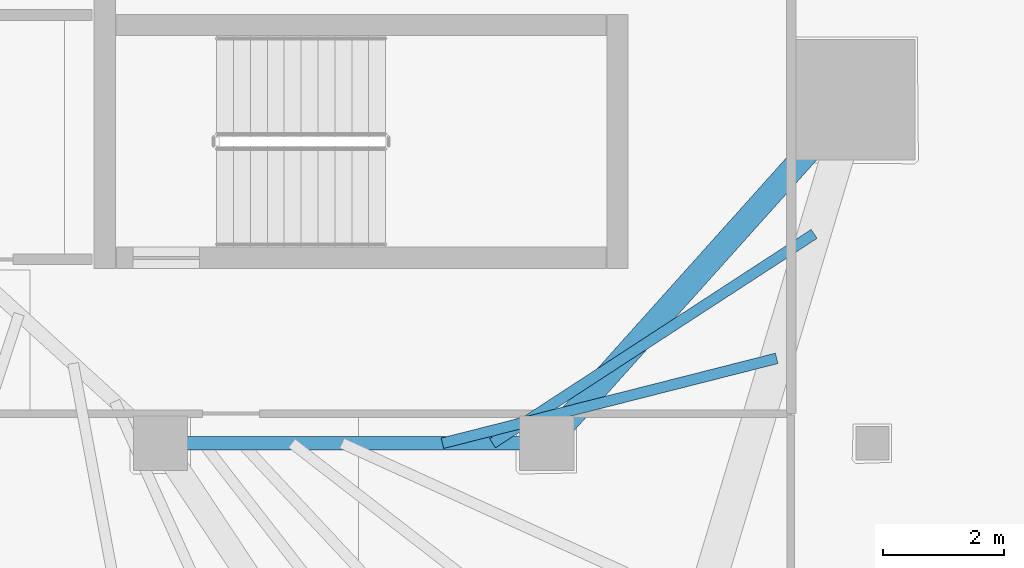
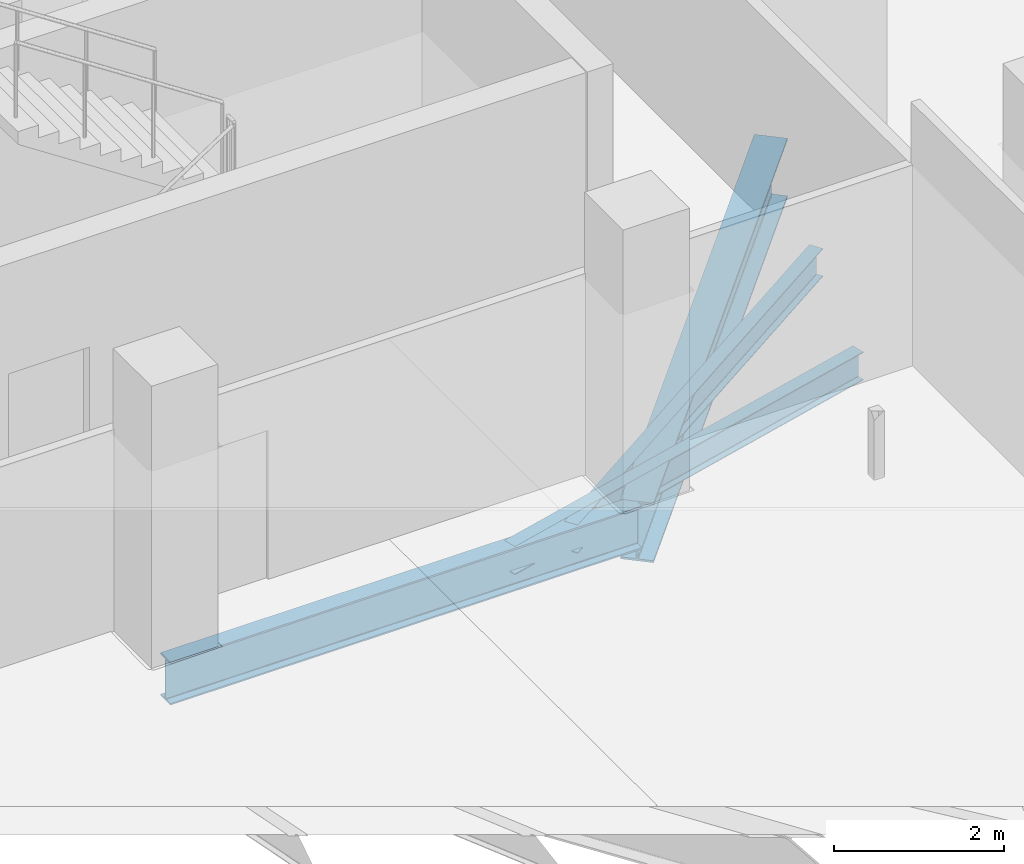
# One storey, part 13 of 39: 4 beams.
"""IFC4 building model written with IfcOpenShell, lengths in metres."""

import ifcopenshell
import ifcopenshell.guid

model = None  # the IFC model being written
_history = None  # IfcOwnerHistory: only IFC2X3 demands one
_inside = {}  # id of a spatial element -> (the spatial element, [elements in it])
_under = {}  # id of a project, library or spatial element -> (it, [spatial elements below it])
_declared = {}  # id of a project -> (the project, [libraries it declares])
_typed = {}  # id of a type object -> (the type object, [elements of that type])
_made_of = {}  # id of a material, layer set ... -> (it, [elements and type objects made of it])


def new_model(schema):
    """Start an empty IFC model of exactly this schema.

    Asked for "IFC4X3", IfcOpenShell would pick the latest addendum, in which some entities
    have other attributes; the version numbers below select the first issue.
    IFC2X3 requires an IfcOwnerHistory on every rooted entity: one is made here for all.
    """
    global model, _history
    if schema == "IFC4X3":
        model = ifcopenshell.file(schema_version=(4, 3, 0, 0))
    else:
        model = ifcopenshell.file(schema=schema)
    _inside.clear()
    _under.clear()
    _declared.clear()
    _typed.clear()
    _made_of.clear()
    _history = None
    if model.schema == "IFC2X3":
        org = make("IfcOrganization", Name="unknown")
        user = make(
            "IfcPersonAndOrganization",
            ThePerson=make("IfcPerson", FamilyName="unknown"),
            TheOrganization=org,
        )
        app = make(
            "IfcApplication",
            ApplicationDeveloper=org,
            Version="unknown",
            ApplicationFullName="unknown",
            ApplicationIdentifier="unknown",
        )
        _history = make(
            "IfcOwnerHistory",
            OwningUser=user,
            OwningApplication=app,
            ChangeAction="ADDED",
            CreationDate=0,
        )
    return model


def make(cls, **values):
    """One entity of the class cls with the attributes given. An attribute that is None is left unset."""
    return model.create_entity(
        cls, **{name: value for name, value in values.items() if value is not None}
    )


def rooted(cls, **values):
    """An entity with a GlobalId (a new one), such as an element, a storey or a relation."""
    return make(cls, GlobalId=ifcopenshell.guid.new(), OwnerHistory=_history, **values)


def si_unit(unit_type, name, prefix=None):
    """IfcSIUnit, for example si_unit("LENGTHUNIT", "METRE", prefix="MILLI")."""
    return make("IfcSIUnit", UnitType=unit_type, Prefix=prefix, Name=name)


def assignment(units):
    """IfcUnitAssignment: the units of a project."""
    return None if units is None else make("IfcUnitAssignment", Units=units)


def point(xyz):
    """IfcCartesianPoint."""
    return None if xyz is None else make("IfcCartesianPoint", Coordinates=xyz)


def direction(xyz):
    """IfcDirection."""
    return None if xyz is None else make("IfcDirection", DirectionRatios=xyz)


def frame(location, z_axis=None, x_axis=None):
    """IfcAxis2Placement3D, a coordinate frame: its origin and axes. An axis left out is left unset."""
    return make(
        "IfcAxis2Placement3D",
        Location=point(location),
        Axis=direction(z_axis),
        RefDirection=direction(x_axis),
    )


def frame_2d(location, x_axis=None):
    """IfcAxis2Placement2D, a coordinate frame in the plane: its origin and x axis."""
    return make(
        "IfcAxis2Placement2D", Location=point(location), RefDirection=direction(x_axis)
    )


def origin():
    """The frame at (0, 0, 0) with its axes left unset."""
    return frame((0.0, 0.0, 0.0))


def origin_2d():
    """The frame at (0, 0) in the plane with its x axis left unset."""
    return frame_2d((0.0, 0.0))


def place(relative_to, where):
    """IfcLocalPlacement: puts the frame where relative to a parent placement (None: the world)."""
    return make(
        "IfcLocalPlacement", PlacementRelTo=relative_to, RelativePlacement=where
    )


def context(
    kind, dimensions, precision=None, world=None, true_north=None, identifier=None
):
    """IfcGeometricRepresentationContext, for example the 3D "Model" context."""
    return make(
        "IfcGeometricRepresentationContext",
        ContextIdentifier=identifier,
        ContextType=kind,
        CoordinateSpaceDimension=dimensions,
        Precision=precision,
        WorldCoordinateSystem=world,
        TrueNorth=true_north,
    )


def subcontext(parent, identifier, kind, view, scale=None):
    """IfcGeometricRepresentationSubContext, for example "Body" below "Model"."""
    return make(
        "IfcGeometricRepresentationSubContext",
        ContextIdentifier=identifier,
        ContextType=kind,
        ParentContext=parent,
        TargetScale=scale,
        TargetView=view,
    )


def project(units=None, contexts=None):
    """IfcProject with its units and contexts."""
    return rooted(
        "IfcProject",
        Name="project",
        RepresentationContexts=contexts,
        UnitsInContext=assignment(units),
    )


def spatial(cls, under=None, at=None, **own):
    """A site, building, storey or space (cls), placed at a placement, below another one or the project."""
    s = rooted(cls, ObjectPlacement=at, **own)
    if under is not None:
        _under.setdefault(under.id(), (under, []))[1].append(s)
    return s


def profile(cls, at=None, kind="AREA", **sizes):
    """A parametric profile (cls). Its sizes go by their IFC names, for example OverallWidth=200.0."""
    return make(cls, ProfileType=kind, Position=at, **sizes)


def i_section(**sizes):
    """IfcIShapeProfileDef."""
    return profile("IfcIShapeProfileDef", **sizes)


def extrude(swept, where, along, depth):
    """IfcExtrudedAreaSolid: the profile swept, set in the frame where, extruded along a direction by depth."""
    return make(
        "IfcExtrudedAreaSolid",
        SweptArea=swept,
        Position=where,
        ExtrudedDirection=direction(along),
        Depth=depth,
    )


def shape(context_of_items, identifier, shape_type, items):
    """IfcShapeRepresentation: the items that make up one representation, for example the "Body"."""
    return make(
        "IfcShapeRepresentation",
        ContextOfItems=context_of_items,
        RepresentationIdentifier=identifier,
        RepresentationType=shape_type,
        Items=items,
    )


def material(Name=None, Category=None):
    """IfcMaterial."""
    return make("IfcMaterial", Name=Name, Category=Category)


def material_profile(
    of_material, cross_section, Name=None, Category=None, Priority=None
):
    """IfcMaterialProfile: a cross section and its material."""
    return make(
        "IfcMaterialProfile",
        Name=Name,
        Material=of_material,
        Profile=cross_section,
        Priority=Priority,
        Category=Category,
    )


def profile_set(profiles, Name=None, composite=None):
    """IfcMaterialProfileSet."""
    return make(
        "IfcMaterialProfileSet",
        Name=Name,
        MaterialProfiles=profiles,
        CompositeProfile=composite,
    )


def made_of(thing, what):
    """Note that an element or type object is made of a material, layer set ...; save() writes the relation."""
    if what is not None:
        _made_of.setdefault(what.id(), (what, []))[1].append(thing)
    return thing


def type_object(cls, material=None, **own):
    """A type object (cls), such as IfcWallType, which elements share."""
    return made_of(rooted(cls, **own), material)


def element(
    cls,
    number,
    at=None,
    inside=None,
    cuts=None,
    type_object=None,
    material=None,
    context=None,
    identifier="Body",
    shape_type=None,
    held_by="IfcProductDefinitionShape",
    body=None,
    shapes=None,
    **own,
):
    """One element of the class cls, such as IfcWall. Its Tag is "e" and its number.

    at: its placement. inside: the storey or other place that contains it. cuts: it is an
    opening in that element (IfcRelVoidsElement). A single representation is given by context,
    identifier, shape_type and body (its items); several are given by shapes. held_by: the class
    of the entity that holds the representations. save() writes the other relations.
    """
    e = rooted(cls, Tag="e%d" % number, ObjectPlacement=at, **own)
    if body is not None:
        shapes = [shape(context, identifier, shape_type, body)]
    if shapes is not None:
        e.Representation = make(held_by, Representations=shapes)
    if inside is not None:
        _inside.setdefault(inside.id(), (inside, []))[1].append(e)
    if cuts is not None:
        rooted(
            "IfcRelVoidsElement", RelatingBuildingElement=cuts, RelatedOpeningElement=e
        )
    if type_object is not None:
        _typed.setdefault(type_object.id(), (type_object, []))[1].append(e)
    return made_of(e, material)


def aggregate(whole, parts):
    """IfcRelAggregates: a whole, such as a stair, and the parts it consists of."""
    return rooted("IfcRelAggregates", RelatingObject=whole, RelatedObjects=parts)


def save(model, path):
    """Write the relations noted so far, then the file.

    IfcRelAggregates (storeys below a building ...), IfcRelContainedInSpatialStructure (elements
    in a storey), IfcRelDefinesByType, IfcRelAssociatesMaterial and IfcRelDeclares: one each for
    every whole, place, type object, material and project.
    """
    for whole, parts in _under.values():
        aggregate(whole, parts)
    for where, things in _inside.values():
        rooted(
            "IfcRelContainedInSpatialStructure",
            RelatedElements=things,
            RelatingStructure=where,
        )
    for kind, things in _typed.values():
        rooted("IfcRelDefinesByType", RelatedObjects=things, RelatingType=kind)
    for what, things in _made_of.values():
        rooted("IfcRelAssociatesMaterial", RelatedObjects=things, RelatingMaterial=what)
    for by, libraries in _declared.values():
        rooted("IfcRelDeclares", RelatingContext=by, RelatedDefinitions=libraries)
    model.write(path)


model = new_model("IFC4")

# Units and contexts
model_context = context("Model", 3, precision=1e-05, world=origin(), true_north=direction((0.0, 1.0)))
body_context = subcontext(model_context, "Body", "Model", "MODEL_VIEW")
ifc_project = project(units=[si_unit("LENGTHUNIT", "METRE"), si_unit("AREAUNIT", "SQUARE_METRE"), si_unit("VOLUMEUNIT", "CUBIC_METRE"), si_unit("PLANEANGLEUNIT", "RADIAN"), si_unit("MASSUNIT", "GRAM", prefix="KILO")], contexts=[model_context])

# Site, building, storey
site_placement = place(None, origin())
site = spatial("IfcSite", under=ifc_project, at=site_placement, CompositionType="ELEMENT")
building_placement = place(site_placement, origin())
building = spatial("IfcBuilding", under=site, at=building_placement, Name="Qorvath Tower", CompositionType="ELEMENT")
storey_placement = place(building_placement, frame((0.0, 0.0, 201.0)))
storey = spatial("IfcBuildingStorey", under=building, at=storey_placement, Name="L46", CompositionType="ELEMENT", Elevation=201.0)

# Beams
ifc_material_1 = material(Name="Steel ASTM A992 Grade 50", Category="steel")
ifc_material_profile_1 = material_profile(ifc_material_1, i_section(OverallWidth=0.39892578125, OverallDepth=0.85498046875, WebThickness=0.018310546875, FlangeThickness=0.029296875, FilletRadius=0.02001953125, at=origin_2d()), Name="W33x201")
ifc_profile_set_1 = profile_set([ifc_material_profile_1], Name="Steel ASTM A992 Grade 50")
beam_type_1 = type_object("IfcBeamType", Name="BM-FG2", PredefinedType="BEAM", material=ifc_profile_set_1)
beam_1_placement = place(storey_placement, frame((-17.199951171875, -11.449951171875, -0.697509765625), z_axis=(0.667543184261, 0.744571082669, 0.0), x_axis=(-0.744571082669, 0.667543184261, 0.0)))
element("IfcBeam", 1, at=beam_1_placement, inside=storey, type_object=beam_type_1, Name="Radial Floor Girder CC3-MC4 L46", PredefinedType="BEAM", context=body_context, shape_type="SweptSolid", body=[
    extrude(i_section(OverallWidth=0.39892578125, OverallDepth=0.85498046875, WebThickness=0.018310546875, FlangeThickness=0.029296875, FilletRadius=0.02001953125, at=origin_2d()), origin(), (0.0, 0.0, 1.0), 7.644775390625),
])
ifc_material_2 = material(Name="Steel ASTM A992 Grade 50", Category="steel")
ifc_material_profile_2 = material_profile(ifc_material_2, i_section(OverallWidth=0.22998046875, OverallDepth=0.616943359375, WebThickness=0.01318359375, FlangeThickness=0.022216796875, FilletRadius=0.014892578125, at=origin_2d()), Name="W24x94")
ifc_profile_set_2 = profile_set([ifc_material_profile_2], Name="Steel ASTM A992 Grade 50")
beam_type_2 = type_object("IfcBeamType", Name="BM-FG6", PredefinedType="BEAM", material=ifc_profile_set_2)
beam_2_placement = place(storey_placement, frame((-17.199951171875, -11.449951171875, -0.57861328125), z_axis=(-1.0, 0.0, 0.0), x_axis=(0.0, -1.0, 0.0)))
element("IfcBeam", 2, at=beam_2_placement, inside=storey, type_object=beam_type_2, Name="Core Ring Girder CC3-CC4 L46", PredefinedType="BEAM", context=body_context, shape_type="SweptSolid", body=[
    extrude(i_section(OverallWidth=0.22998046875, OverallDepth=0.616943359375, WebThickness=0.01318359375, FlangeThickness=0.022216796875, FilletRadius=0.014892578125, at=origin_2d()), origin(), (0.0, 0.0, 1.0), 6.400146484375),
])
ifc_material_3 = material(Name="Steel ASTM A992 Grade 50", Category="steel")
ifc_material_profile_3 = material_profile(ifc_material_3, i_section(OverallWidth=0.177978515625, OverallDepth=0.406005859375, WebThickness=0.0078125, FlangeThickness=0.0126953125, FilletRadius=0.010986328125, at=origin_2d()), Name="W16x40")
ifc_profile_set_3 = profile_set([ifc_material_profile_3], Name="Steel ASTM A992 Grade 50")
beam_type_3 = type_object("IfcBeamType", Name="BM-FJ3", PredefinedType="JOIST", material=ifc_profile_set_3)
beam_3_placement = place(storey_placement, frame((-18.095947265625, -11.449951171875, -0.472900390625), z_axis=(0.838041756057, 0.545606098853, 0.0), x_axis=(-0.545606098853, 0.838041756057, 0.0)))
element("IfcBeam", 3, at=beam_3_placement, inside=storey, type_object=beam_type_3, Name="Composite Floor Joist SE1 L46", PredefinedType="JOIST", context=body_context, shape_type="SweptSolid", body=[
    extrude(i_section(OverallWidth=0.177978515625, OverallDepth=0.406005859375, WebThickness=0.0078125, FlangeThickness=0.0126953125, FilletRadius=0.010986328125, at=origin_2d()), origin(), (0.0, 0.0, 1.0), 6.36083984375),
])
beam_4_placement = place(storey_placement, frame((-18.927978515625, -11.449951171875, -0.472900390625), z_axis=(0.969231577698, 0.246150662794, 0.0), x_axis=(-0.246150662794, 0.969231577698, 0.0)))
element("IfcBeam", 4, at=beam_4_placement, inside=storey, type_object=beam_type_3, Name="Composite Floor Joist SE2 L46", PredefinedType="JOIST", context=body_context, shape_type="SweptSolid", body=[
    extrude(i_section(OverallWidth=0.177978515625, OverallDepth=0.406005859375, WebThickness=0.0078125, FlangeThickness=0.0126953125, FilletRadius=0.010986328125, at=origin_2d()), origin(), (0.0, 0.0, 1.0), 5.718017578125),
])

save(model, "model.ifc")
